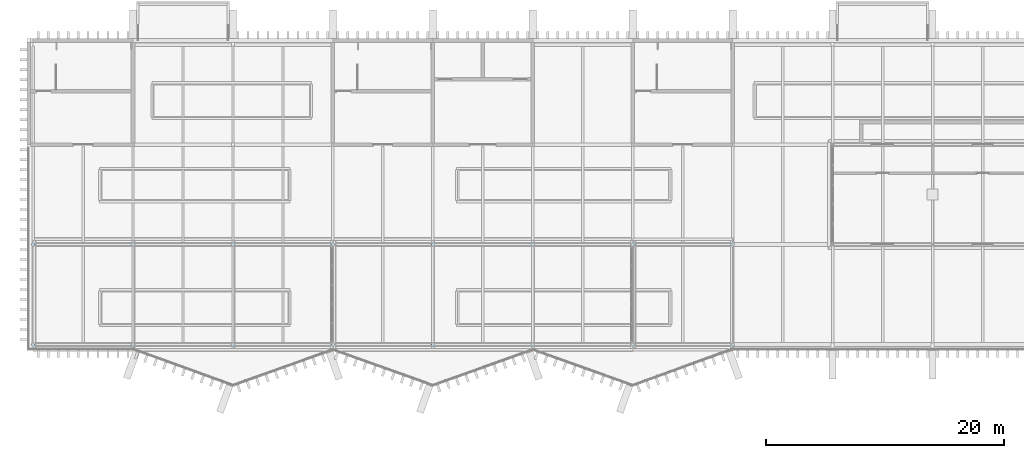
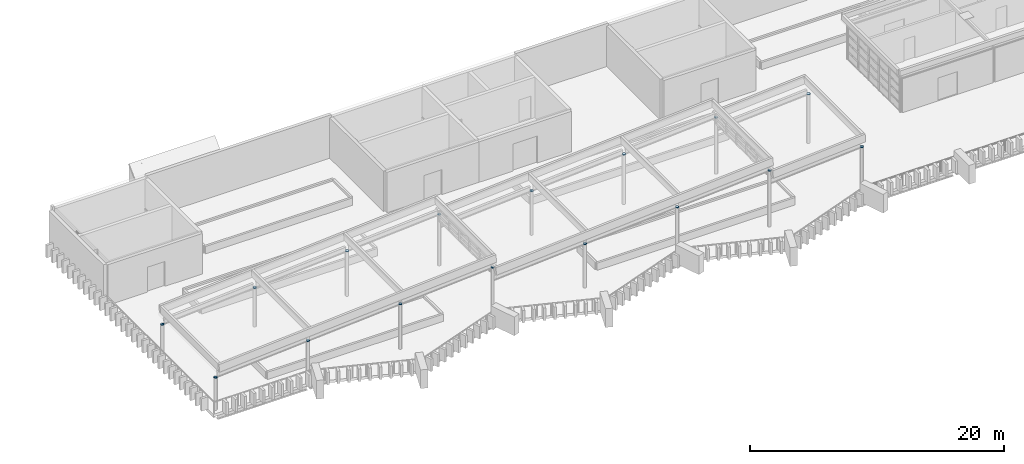
# One storey, part 32 of 51: 16 plates.
"""IFC4 building model written with IfcOpenShell, lengths in metres."""

from ifc_helpers import new_model, si_unit, direction, frame, origin, origin_2d, place, context, subcontext, project, spatial, circle, extrude, material, layer, layer_set, type_object, element, save


model = new_model("IFC4")

# Units and contexts
model_context = context("Model", 3, precision=1e-05, world=origin(), true_north=direction((0.0, 1.0)))
body_context = subcontext(model_context, "Body", "Model", "MODEL_VIEW")
ifc_project = project(units=[si_unit("LENGTHUNIT", "METRE"), si_unit("AREAUNIT", "SQUARE_METRE"), si_unit("VOLUMEUNIT", "CUBIC_METRE"), si_unit("PLANEANGLEUNIT", "RADIAN"), si_unit("MASSUNIT", "GRAM", prefix="KILO")], contexts=[model_context])

# Site, building, storey
site_placement = place(None, origin())
site = spatial("IfcSite", under=ifc_project, at=site_placement, CompositionType="ELEMENT")
building_placement = place(site_placement, origin())
building = spatial("IfcBuilding", under=site, at=building_placement, Name="Cresset Court Congress Hotel", CompositionType="ELEMENT")
storey_placement = place(building_placement, frame((0.0, 0.0, 18.60009765625)))
storey = spatial("IfcBuildingStorey", under=building, at=storey_placement, Name="L04", CompositionType="ELEMENT", Elevation=18.60009765625)

# Plates
ifc_material = material(Name="Structural steel Q355B", Category="steel")
ifc_layer = layer(ifc_material, 0.02001953125)
ifc_layer_set = layer_set([ifc_layer], Name="Roof column end plate 273x20")
plate_type = type_object("IfcPlateType", Name="Roof column end plate 273x20", PredefinedType="USERDEFINED", material=ifc_layer_set)
for number, where, z_axis, x_axis, name in (
    (1, (8.39990234375, 0.0, 3.099853515625), (0.0, 0.0, 1.0), (1.0, 0.0, 0.0), "Roof column end plate 2A"),
    (2, (8.39990234375, 8.39990234375, 3.099853515625), (0.0, 0.0, 1.0), (1.0, 0.0, 0.0), "Roof column end plate 2B"),
    (3, (16.800048828125, 0.0, 3.68798828125), (0.0, 0.0, 1.0), (1.0, 0.0, 0.0), "Roof column end plate 3A"),
    (4, (16.800048828125, 8.39990234375, 3.68798828125), (0.0, 0.0, 1.0), (1.0, 0.0, 0.0), "Roof column end plate 3B"),
    (5, (25.199951171875, 0.0, 4.27587890625), (0.0, 0.0, 1.0), (1.0, 0.0, 0.0), "Roof column end plate 4A"),
    (6, (25.199951171875, 8.39990234375, 4.27587890625), (0.0, 0.0, 1.0), (1.0, 0.0, 0.0), "Roof column end plate 4B"),
):
    element("IfcPlate", number, at=place(storey_placement, frame(where, z_axis=z_axis, x_axis=x_axis)), inside=storey, type_object=plate_type, Name=name, ObjectType="END PLATE", PredefinedType="USERDEFINED", context=body_context, shape_type="SweptSolid", body=[
        extrude(circle(Radius=0.136474609375, at=origin_2d()), origin(), (0.0, 0.0, 1.0), 0.02001953125),
    ])
for number, where, z_axis, x_axis, name in (
    (7, (33.60009765625, 0.0, 4.864013671875), (0.0, 0.0, 1.0), (1.0, 0.0, 0.0), "Roof column end plate 5A"),
    (8, (33.60009765625, 8.39990234375, 4.864013671875), (0.0, 0.0, 1.0), (1.0, 0.0, 0.0), "Roof column end plate 5B"),
):
    element("IfcPlate", number, at=place(storey_placement, frame(where, z_axis=z_axis, x_axis=x_axis)), inside=storey, type_object=plate_type, Name=name, ObjectType="END PLATE", PredefinedType="USERDEFINED", context=body_context, shape_type="SweptSolid", body=[
        extrude(circle(Radius=0.136474609375, at=origin_2d()), origin(), (0.0, 0.0, 1.0), 0.019775390625),
    ])
for number, where, z_axis, x_axis, name in (
    (9, (42.0, 0.0, 4.18798828125), (0.0, 0.0, 1.0), (1.0, 0.0, 0.0), "Roof column end plate 6A"),
    (10, (42.0, 8.39990234375, 4.18798828125), (0.0, 0.0, 1.0), (1.0, 0.0, 0.0), "Roof column end plate 6B"),
    (11, (50.39990234375, 0.0, 4.77587890625), (0.0, 0.0, 1.0), (1.0, 0.0, 0.0), "Roof column end plate 7A"),
    (12, (50.39990234375, 8.39990234375, 4.77587890625), (0.0, 0.0, 1.0), (1.0, 0.0, 0.0), "Roof column end plate 7B"),
):
    element("IfcPlate", number, at=place(storey_placement, frame(where, z_axis=z_axis, x_axis=x_axis)), inside=storey, type_object=plate_type, Name=name, ObjectType="END PLATE", PredefinedType="USERDEFINED", context=body_context, shape_type="SweptSolid", body=[
        extrude(circle(Radius=0.136474609375, at=origin_2d()), origin(), (0.0, 0.0, 1.0), 0.02001953125),
    ])
for number, where, z_axis, x_axis, name in (
    (13, (58.800048828125, 0.0, 5.364013671875), (0.0, 0.0, 1.0), (1.0, 0.0, 0.0), "Roof column end plate 8A"),
    (14, (58.800048828125, 8.39990234375, 5.364013671875), (0.0, 0.0, 1.0), (1.0, 0.0, 0.0), "Roof column end plate 8B"),
):
    element("IfcPlate", number, at=place(storey_placement, frame(where, z_axis=z_axis, x_axis=x_axis)), inside=storey, type_object=plate_type, Name=name, ObjectType="END PLATE", PredefinedType="USERDEFINED", context=body_context, shape_type="SweptSolid", body=[
        extrude(circle(Radius=0.136474609375, at=origin_2d()), origin(), (0.0, 0.0, 1.0), 0.019775390625),
    ])
for number, where, z_axis, x_axis, name in (
    (15, (67.199951171875, 0.0, 4.68798828125), (0.0, 0.0, 1.0), (1.0, 0.0, 0.0), "Roof column end plate 9A"),
    (16, (67.199951171875, 8.39990234375, 4.68798828125), (0.0, 0.0, 1.0), (1.0, 0.0, 0.0), "Roof column end plate 9B"),
):
    element("IfcPlate", number, at=place(storey_placement, frame(where, z_axis=z_axis, x_axis=x_axis)), inside=storey, type_object=plate_type, Name=name, ObjectType="END PLATE", PredefinedType="USERDEFINED", context=body_context, shape_type="SweptSolid", body=[
        extrude(circle(Radius=0.136474609375, at=origin_2d()), origin(), (0.0, 0.0, 1.0), 0.02001953125),
    ])

save(model, "model.ifc")
